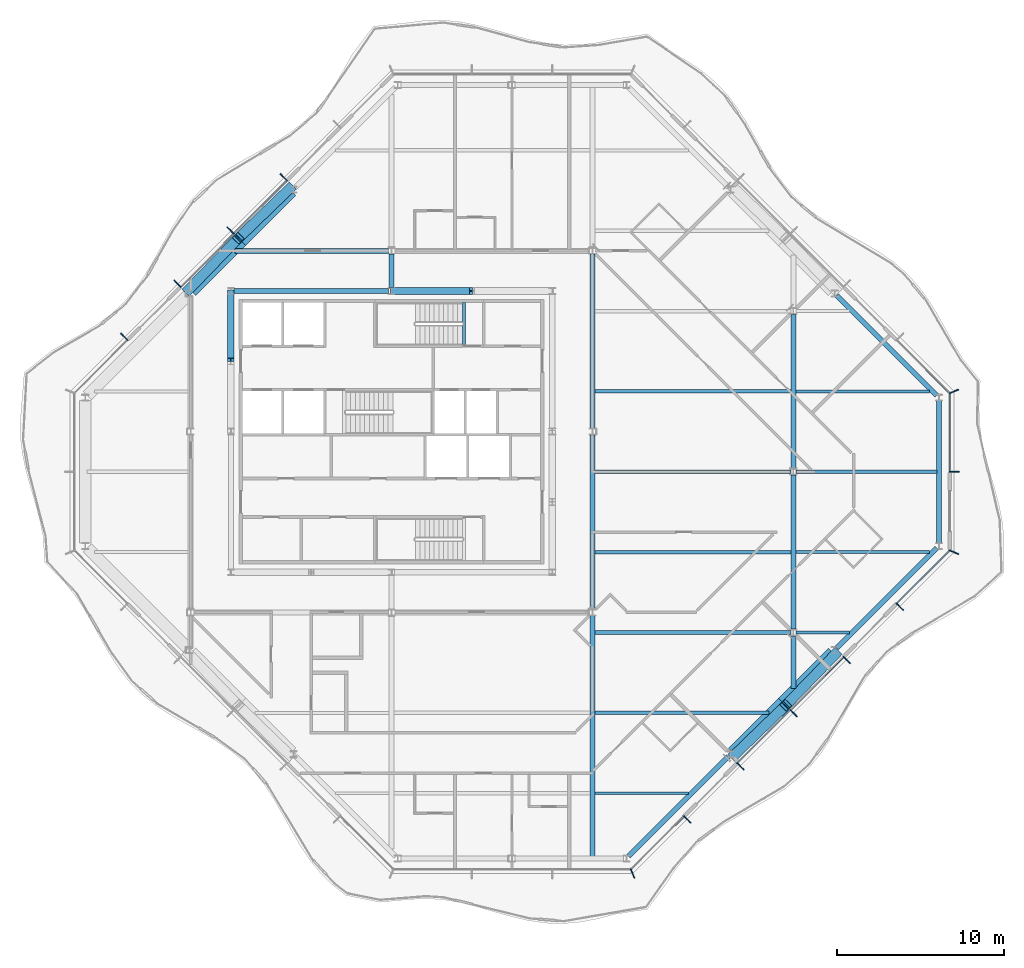
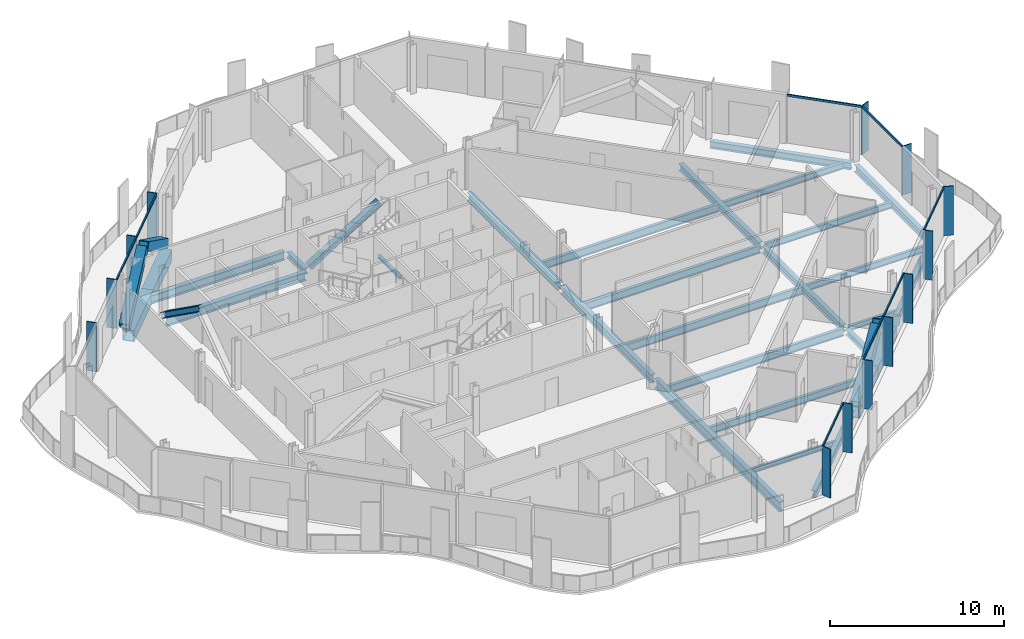
# One storey, part 4 of 17: 28 beams, 27 members, 4 elements without a shape of their own.
"""IFC4 building model written with IfcOpenShell, lengths in metres."""

from ifc_helpers import new_model, si_unit, direction, frame, origin, origin_2d, place, context, subcontext, project, spatial, rectangle, hollow_rectangle, i_section, extrude, material, material_profile, profile_set, type_object, element, aggregate, save


model = new_model("IFC4")

# Units and contexts
model_context = context("Model", 3, precision=1e-05, world=origin(), true_north=direction((0.0, 1.0)))
body_context = subcontext(model_context, "Body", "Model", "MODEL_VIEW")
ifc_project = project(units=[si_unit("LENGTHUNIT", "METRE"), si_unit("AREAUNIT", "SQUARE_METRE"), si_unit("VOLUMEUNIT", "CUBIC_METRE"), si_unit("PLANEANGLEUNIT", "RADIAN"), si_unit("MASSUNIT", "GRAM", prefix="KILO")], contexts=[model_context])

# Site, building, storey
site_placement = place(None, origin())
site = spatial("IfcSite", under=ifc_project, at=site_placement, CompositionType="ELEMENT")
building_placement = place(site_placement, origin())
building = spatial("IfcBuilding", under=site, at=building_placement, Name="Cairn Pilgrim Tower", CompositionType="ELEMENT")
storey_placement = place(building_placement, frame((0.0, 0.0, 270.60009765625)))
storey = spatial("IfcBuildingStorey", under=building, at=storey_placement, Name="L69", CompositionType="ELEMENT", Elevation=270.60009765625)

# Members
ifc_material_1 = material(Name="Structural steel S460M", Category="steel")
ifc_material_profile_1 = material_profile(ifc_material_1, hollow_rectangle(XDim=0.60009765625, YDim=0.60009765625, WallThickness=0.034912109375, at=origin_2d()), Name="BOX 600x600x35")
ifc_profile_set_1 = profile_set([ifc_material_profile_1], Name="Structural steel S460M")
member_type_1 = type_object("IfcMemberType", Name="BOX 600x600x35 BRACE", PredefinedType="BRACE", material=ifc_profile_set_1)
member_1_placement = place(storey_placement, frame((27.609130859375, -16.9921875, 0.14990234375), z_axis=(0.612497315066, 0.592528264357, 0.523218209713), x_axis=(-0.695293517132, 0.718725903967, 0.0)))
element("IfcMember", 1, at=member_1_placement, inside=storey, type_object=member_type_1, Name="XB-SE2-SE3-1", PredefinedType="BRACE", context=body_context, shape_type="SweptSolid", body=[
    extrude(hollow_rectangle(XDim=0.60009765625, YDim=0.60009765625, WallThickness=0.034912109375, at=origin_2d()), origin(), (0.0, 0.0, 1.0), 5.037109375),
])
member_2_placement = place(storey_placement, frame((33.7919921875, -10.80908203125, 0.14990234375), z_axis=(-0.59249681125, -0.612514905413, 0.523233236048), x_axis=(0.718754326239, -0.695264135788, 0.0)))
element("IfcMember", 2, at=member_2_placement, inside=storey, type_object=member_type_1, Name="XB-SE2-SE3-2", PredefinedType="BRACE", context=body_context, shape_type="SweptSolid", body=[
    extrude(hollow_rectangle(XDim=0.60009765625, YDim=0.60009765625, WallThickness=0.034912109375, at=origin_2d()), origin(), (0.0, 0.0, 1.0), 5.036865234375),
])
for number, where, z_axis, x_axis, name in (
    (3, (1.19091796875, 16.9921875, 0.14990234375), (-0.612497315066, -0.592528264357, 0.523218209713), (0.695293517132, -0.718725903967, 0.0), "XB-NW2-NW3-1"),
    (4, (-4.9921875, 10.80908203125, 0.14990234375), (0.592528264357, 0.612497315066, 0.523218209713), (-0.718725903967, 0.695293517132, 0.0), "XB-NW2-NW3-2"),
):
    element("IfcMember", number, at=place(storey_placement, frame(where, z_axis=z_axis, x_axis=x_axis)), inside=storey, type_object=member_type_1, Name=name, PredefinedType="BRACE", context=body_context, shape_type="SweptSolid", body=[
        extrude(hollow_rectangle(XDim=0.60009765625, YDim=0.60009765625, WallThickness=0.034912109375, at=origin_2d()), origin(), (0.0, 0.0, 1.0), 5.037109375),
    ])

# Beams
ifc_material_2 = material(Name="Structural steel S355J2", Category="steel")
ifc_material_profile_2 = material_profile(ifc_material_2, hollow_rectangle(XDim=0.699951171875, YDim=0.800048828125, WallThickness=0.0400390625, at=origin_2d()), Name="BOX 700x800x40")
ifc_profile_set_2 = profile_set([ifc_material_profile_2], Name="Structural steel S355J2")
beam_type_1 = type_object("IfcBeamType", Name="BOX 700x800x40 RING GIRDER", PredefinedType="SPANDREL", material=ifc_profile_set_2)
for number, where, z_axis, x_axis, name in (
    (5, (27.578369140625, -16.748779296875, -0.550048828125), (0.707135695205, 0.707077865986, 0.0), (-0.707077865986, 0.707135695205, 0.0), "RG4-SE2-SE3-1"),
    (6, (30.563720703125, -13.763671875, -0.550048828125), (0.707077865986, 0.707135695205, 0.0), (-0.707135695205, 0.707077865986, 0.0), "RG4-SE2-SE3-2"),
    (7, (1.2216796875, 16.748779296875, -0.550048828125), (-0.707135695205, -0.707077865986, 0.0), (0.707077865986, -0.707135695205, 0.0), "RG4-NW2-NW3-1"),
    (8, (-1.763671875, 13.763671875, -0.550048828125), (-0.707077865986, -0.707135695205, 0.0), (0.707135695205, -0.707077865986, 0.0), "RG4-NW2-NW3-2"),
):
    element("IfcBeam", number, at=place(storey_placement, frame(where, z_axis=z_axis, x_axis=x_axis)), inside=storey, type_object=beam_type_1, Name=name, PredefinedType="SPANDREL", context=body_context, shape_type="SweptSolid", body=[
        extrude(hollow_rectangle(XDim=0.699951171875, YDim=0.800048828125, WallThickness=0.0400390625, at=origin_2d()), origin(), (0.0, 0.0, 1.0), 4.2216796875),
    ])

# Curtain wall, members
ifc_material_3 = material(Name="Aluminium alloy 6063-T6 bronze anodised with Bronze tinted laminated low-E glass 8+16+8.8", Category="aluminium")
curtain_wall_type = type_object("IfcCurtainWallType", Name="CROWN CURTAIN WALL", PredefinedType="NOTDEFINED", material=ifc_material_3)
curtain_wall_1_placement = place(storey_placement, origin())
curtain_wall_1 = element("IfcCurtainWall", 9, at=curtain_wall_1_placement, inside=storey, type_object=curtain_wall_type, Name="Crown Curtain Wall SE", PredefinedType="NOTDEFINED")
ifc_material_4 = material(Name="Aluminium alloy 6063-T6 bronze anodised", Category="aluminium")
ifc_material_profile_3 = material_profile(ifc_material_4, rectangle(XDim=0.60009765625, YDim=0.06005859375, at=origin_2d()), Name="FIN MULLION 60x600 BRONZE")
ifc_profile_set_3 = profile_set([ifc_material_profile_3], Name="Aluminium alloy 6063-T6 bronze anodised")
member_type_2 = type_object("IfcMemberType", Name="FIN MULLION 60x600 BRONZE", PredefinedType="MULLION", material=ifc_profile_set_3)
member_3_placement = place(storey_placement, frame((21.599853515625, -23.99951171875, 0.0), z_axis=(0.0, 0.0, 1.0), x_axis=(0.382683432365, -0.923879532511, 0.0)))
member_3 = element("IfcMember", 10, at=member_3_placement, type_object=member_type_2, Name="Fin mullion SE1", PredefinedType="MULLION", context=body_context, shape_type="SweptSolid", body=[
    extrude(rectangle(XDim=0.60009765625, YDim=0.06005859375, at=origin_2d()), origin(), (0.0, 0.0, 1.0), 3.449951171875),
])
member_4_placement = place(storey_placement, frame((24.863037109375, -20.765380859375, 0.0), z_axis=(0.0, 0.0, 1.0), x_axis=(0.707106781187, -0.707106781187, 0.0)))
member_4 = element("IfcMember", 11, at=member_4_placement, type_object=member_type_2, Name="Fin mullion SE2", PredefinedType="MULLION", context=body_context, shape_type="SweptSolid", body=[
    extrude(rectangle(XDim=0.60009765625, YDim=0.06005859375, at=origin_2d()), origin(), (0.0, 0.0, 1.0), 3.449951171875),
])
member_5_placement = place(storey_placement, frame((28.03857421875, -17.58984375, 0.0), z_axis=(0.0, 0.0, 1.0), x_axis=(0.707106781187, -0.707106781187, 0.0)))
member_5 = element("IfcMember", 12, at=member_5_placement, type_object=member_type_2, Name="Fin mullion SE3", PredefinedType="MULLION", context=body_context, shape_type="SweptSolid", body=[
    extrude(rectangle(XDim=0.60009765625, YDim=0.06005859375, at=origin_2d()), origin(), (0.0, 0.0, 1.0), 3.449951171875),
])
member_6_placement = place(storey_placement, frame((31.214111328125, -14.4140625, 0.0), z_axis=(0.0, 0.0, 1.0), x_axis=(0.707106781187, -0.707106781187, 0.0)))
member_6 = element("IfcMember", 13, at=member_6_placement, type_object=member_type_2, Name="Fin mullion SE4", PredefinedType="MULLION", context=body_context, shape_type="SweptSolid", body=[
    extrude(rectangle(XDim=0.60009765625, YDim=0.06005859375, at=origin_2d()), origin(), (0.0, 0.0, 1.0), 3.449951171875),
])
member_7_placement = place(storey_placement, frame((34.3896484375, -11.238525390625, 0.0), z_axis=(0.0, 0.0, 1.0), x_axis=(0.707106781187, -0.707106781187, 0.0)))
member_7 = element("IfcMember", 14, at=member_7_placement, type_object=member_type_2, Name="Fin mullion SE5", PredefinedType="MULLION", context=body_context, shape_type="SweptSolid", body=[
    extrude(rectangle(XDim=0.60009765625, YDim=0.06005859375, at=origin_2d()), origin(), (0.0, 0.0, 1.0), 3.449951171875),
])
member_8_placement = place(storey_placement, frame((37.5654296875, -8.06298828125, 0.0), z_axis=(0.0, 0.0, 1.0), x_axis=(0.707106781187, -0.707106781187, 0.0)))
member_8 = element("IfcMember", 15, at=member_8_placement, type_object=member_type_2, Name="Fin mullion SE6", PredefinedType="MULLION", context=body_context, shape_type="SweptSolid", body=[
    extrude(rectangle(XDim=0.60009765625, YDim=0.06005859375, at=origin_2d()), origin(), (0.0, 0.0, 1.0), 3.449951171875),
])

curtain_wall_2_placement = place(storey_placement, origin())
curtain_wall_2 = element("IfcCurtainWall", 16, at=curtain_wall_2_placement, inside=storey, type_object=curtain_wall_type, Name="Crown Curtain Wall E", PredefinedType="NOTDEFINED")
member_9_placement = place(storey_placement, frame((40.799560546875, -4.7998046875, 0.0), z_axis=(0.0, 0.0, 1.0), x_axis=(0.923879532511, -0.382683432365, 0.0)))
member_9 = element("IfcMember", 17, at=member_9_placement, type_object=member_type_2, Name="Fin mullion E1", PredefinedType="MULLION", context=body_context, shape_type="SweptSolid", body=[
    extrude(rectangle(XDim=0.60009765625, YDim=0.06005859375, at=origin_2d()), origin(), (0.0, 0.0, 1.0), 3.449951171875),
])
member_10_placement = place(storey_placement, frame((40.820068359375, 0.0, 0.0), z_axis=(0.0, 0.0, 1.0), x_axis=(1.0, 0.0, 0.0)))
member_10 = element("IfcMember", 18, at=member_10_placement, type_object=member_type_2, Name="Fin mullion E2", PredefinedType="MULLION", context=body_context, shape_type="SweptSolid", body=[
    extrude(rectangle(XDim=0.60009765625, YDim=0.06005859375, at=origin_2d()), origin(), (0.0, 0.0, 1.0), 3.449951171875),
])

# Curtain wall, member
curtain_wall_3_placement = place(storey_placement, origin())
curtain_wall_3 = element("IfcCurtainWall", 19, at=curtain_wall_3_placement, inside=storey, type_object=curtain_wall_type, Name="Crown Curtain Wall NE", PredefinedType="NOTDEFINED")
member_11_placement = place(storey_placement, frame((40.799560546875, 4.7998046875, 0.0), z_axis=(0.0, 0.0, 1.0), x_axis=(0.923879532511, 0.382683432365, 0.0)))
member_11 = element("IfcMember", 20, at=member_11_placement, type_object=member_type_2, Name="Fin mullion NE1", PredefinedType="MULLION", context=body_context, shape_type="SweptSolid", body=[
    extrude(rectangle(XDim=0.60009765625, YDim=0.06005859375, at=origin_2d()), origin(), (0.0, 0.0, 1.0), 3.449951171875),
])

# Curtain wall, members
curtain_wall_4_placement = place(storey_placement, origin())
curtain_wall_4 = element("IfcCurtainWall", 21, at=curtain_wall_4_placement, inside=storey, type_object=curtain_wall_type, Name="Crown Curtain Wall NW", PredefinedType="NOTDEFINED")
member_12_placement = place(storey_placement, frame((0.761474609375, 17.58984375, 0.0), z_axis=(0.0, 0.0, 1.0), x_axis=(-0.707106781187, 0.707106781187, 0.0)))
member_12 = element("IfcMember", 22, at=member_12_placement, type_object=member_type_2, Name="Fin mullion NW3", PredefinedType="MULLION", context=body_context, shape_type="SweptSolid", body=[
    extrude(rectangle(XDim=0.60009765625, YDim=0.06005859375, at=origin_2d()), origin(), (0.0, 0.0, 1.0), 3.449951171875),
])
member_13_placement = place(storey_placement, frame((-2.4140625, 14.4140625, 0.0), z_axis=(0.0, 0.0, 1.0), x_axis=(-0.707106781187, 0.707106781187, 0.0)))
member_13 = element("IfcMember", 23, at=member_13_placement, type_object=member_type_2, Name="Fin mullion NW4", PredefinedType="MULLION", context=body_context, shape_type="SweptSolid", body=[
    extrude(rectangle(XDim=0.60009765625, YDim=0.06005859375, at=origin_2d()), origin(), (0.0, 0.0, 1.0), 3.449951171875),
])
member_14_placement = place(storey_placement, frame((-5.58984375, 11.238525390625, 0.0), z_axis=(0.0, 0.0, 1.0), x_axis=(-0.707106781187, 0.707106781187, 0.0)))
member_14 = element("IfcMember", 24, at=member_14_placement, type_object=member_type_2, Name="Fin mullion NW5", PredefinedType="MULLION", context=body_context, shape_type="SweptSolid", body=[
    extrude(rectangle(XDim=0.60009765625, YDim=0.06005859375, at=origin_2d()), origin(), (0.0, 0.0, 1.0), 3.449951171875),
])
member_15_placement = place(storey_placement, frame((-8.765380859375, 8.06298828125, 0.0), z_axis=(0.0, 0.0, 1.0), x_axis=(-0.707106781187, 0.707106781187, 0.0)))
member_15 = element("IfcMember", 25, at=member_15_placement, type_object=member_type_2, Name="Fin mullion NW6", PredefinedType="MULLION", context=body_context, shape_type="SweptSolid", body=[
    extrude(rectangle(XDim=0.60009765625, YDim=0.06005859375, at=origin_2d()), origin(), (0.0, 0.0, 1.0), 3.449951171875),
])

# Members
ifc_material_profile_4 = material_profile(ifc_material_2, i_section(OverallWidth=0.39794921875, OverallDepth=0.386962890625, WebThickness=0.02099609375, FlangeThickness=0.033203125, FilletRadius=0.014892578125, at=origin_2d()), Name="HD 400x262")
ifc_profile_set_4 = profile_set([ifc_material_profile_4], Name="Structural steel S355J2")
member_type_3 = type_object("IfcMemberType", Name="HD 400x262 BRACE", PredefinedType="BRACE", material=ifc_profile_set_4)
member_16_placement = place(storey_placement, frame((7.23974609375, 10.800048828125, 0.099853515625), z_axis=(0.851209328867, 0.0, 0.524826331703), x_axis=(0.0, 1.0, 0.0)))
element("IfcMember", 26, at=member_16_placement, inside=storey, type_object=member_type_3, Name="KB-3B", PredefinedType="BRACE", context=body_context, shape_type="SweptSolid", body=[
    extrude(i_section(OverallWidth=0.39794921875, OverallDepth=0.386962890625, WebThickness=0.02099609375, FlangeThickness=0.033203125, FilletRadius=0.014892578125, at=origin_2d()), origin(), (0.0, 0.0, 1.0), 5.530029296875),
])
member_17_placement = place(storey_placement, frame((-2.39990234375, 10.76025390625, 0.099853515625), z_axis=(0.0, -0.814462005215, 0.580216892258), x_axis=(1.0, 0.0, 0.0)))
element("IfcMember", 27, at=member_17_placement, inside=storey, type_object=member_type_3, Name="KB-4A", PredefinedType="BRACE", context=body_context, shape_type="SweptSolid", body=[
    extrude(i_section(OverallWidth=0.39794921875, OverallDepth=0.386962890625, WebThickness=0.02099609375, FlangeThickness=0.033203125, FilletRadius=0.014892578125, at=origin_2d()), origin(), (0.0, 0.0, 1.0), 4.999755859375),
])

# Beams
ifc_material_profile_5 = material_profile(ifc_material_2, i_section(OverallWidth=0.300048828125, OverallDepth=0.39990234375, WebThickness=0.013427734375, FlangeThickness=0.02392578125, FilletRadius=0.027099609375, at=origin_2d()), Name="HEB 400")
ifc_profile_set_5 = profile_set([ifc_material_profile_5], Name="Structural steel S355J2")
beam_type_2 = type_object("IfcBeamType", Name="HEB 400 GIRDER", PredefinedType="BEAM", material=ifc_profile_set_5)
beam_1_placement = place(storey_placement, frame((7.199951171875, 10.9990234375, -0.35009765625), z_axis=(0.0, 1.0, 0.0), x_axis=(-1.0, 0.0, 0.0)))
element("IfcBeam", 28, at=beam_1_placement, inside=storey, type_object=beam_type_2, Name="PG3-E2", PredefinedType="BEAM", context=body_context, shape_type="SweptSolid", body=[
    extrude(i_section(OverallWidth=0.300048828125, OverallDepth=0.39990234375, WebThickness=0.013427734375, FlangeThickness=0.02392578125, FilletRadius=0.027099609375, at=origin_2d()), origin(), (0.0, 0.0, 1.0), 2.00390625),
])
beam_2_placement = place(storey_placement, frame((31.199951171875, -12.945068359375, -0.35009765625), z_axis=(0.0, 1.0, 0.0), x_axis=(-1.0, 0.0, 0.0)))
element("IfcBeam", 29, at=beam_2_placement, inside=storey, type_object=beam_type_2, Name="PG5-1", PredefinedType="BEAM", context=body_context, shape_type="SweptSolid", body=[
    extrude(i_section(OverallWidth=0.300048828125, OverallDepth=0.39990234375, WebThickness=0.013427734375, FlangeThickness=0.02392578125, FilletRadius=0.027099609375, at=origin_2d()), origin(), (0.0, 0.0, 1.0), 3.14794921875),
])
ifc_material_profile_6 = material_profile(ifc_material_2, i_section(OverallWidth=0.300048828125, OverallDepth=0.5, WebThickness=0.014404296875, FlangeThickness=0.028076171875, FilletRadius=0.027099609375, at=origin_2d()), Name="HEB 500")
ifc_profile_set_6 = profile_set([ifc_material_profile_6], Name="Structural steel S355J2")
beam_type_3 = type_object("IfcBeamType", Name="HEB 500 GIRDER", PredefinedType="BEAM", material=ifc_profile_set_6)
for number, where, z_axis, x_axis, name in (
    (30, (31.199951171875, -9.403076171875, -0.400146484375), (0.0, 1.0, 0.0), (-1.0, 0.0, 0.0), "PG5-2"),
    (31, (31.199951171875, 0.197021484375, -0.400146484375), (0.0, 1.0, 0.0), (-1.0, 0.0, 0.0), "PG5-3"),
):
    element("IfcBeam", number, at=place(storey_placement, frame(where, z_axis=z_axis, x_axis=x_axis)), inside=storey, type_object=beam_type_3, Name=name, PredefinedType="BEAM", context=body_context, shape_type="SweptSolid", body=[
        extrude(i_section(OverallWidth=0.300048828125, OverallDepth=0.5, WebThickness=0.014404296875, FlangeThickness=0.028076171875, FilletRadius=0.027099609375, at=origin_2d()), origin(), (0.0, 0.0, 1.0), 9.2060546875),
    ])
ifc_material_profile_7 = material_profile(ifc_material_2, i_section(OverallWidth=0.300048828125, OverallDepth=0.5, WebThickness=0.014404296875, FlangeThickness=0.028076171875, FilletRadius=0.027099609375, at=origin_2d()), Name="HEB 500")
ifc_profile_set_7 = profile_set([ifc_material_profile_7], Name="Structural steel S355J2")
beam_type_4 = type_object("IfcBeamType", Name="HEB 500 RING GIRDER", PredefinedType="SPANDREL", material=ifc_profile_set_7)
for number, where, z_axis, x_axis, name in (
    (32, (21.354248046875, -22.972900390625, -0.400146484375), (0.707106781187, 0.707106781187, 0.0), (-0.707106781187, 0.707106781187, 0.0), "RG4-SE1-SE2"),
    (33, (33.802734375, -10.5244140625, -0.400146484375), (0.707106781187, 0.707106781187, 0.0), (-0.707106781187, 0.707106781187, 0.0), "RG4-SE3-E1"),
):
    element("IfcBeam", number, at=place(storey_placement, frame(where, z_axis=z_axis, x_axis=x_axis)), inside=storey, type_object=beam_type_4, Name=name, PredefinedType="SPANDREL", context=body_context, shape_type="SweptSolid", body=[
        extrude(i_section(OverallWidth=0.300048828125, OverallDepth=0.5, WebThickness=0.014404296875, FlangeThickness=0.028076171875, FilletRadius=0.027099609375, at=origin_2d()), origin(), (0.0, 0.0, 1.0), 8.443115234375),
    ])
beam_3_placement = place(storey_placement, frame((39.89990234375, -4.247802734375, -0.400146484375), z_axis=(0.0, 1.0, 0.0), x_axis=(-1.0, 0.0, 0.0)))
element("IfcBeam", 34, at=beam_3_placement, inside=storey, type_object=beam_type_4, Name="RG4-E1-NE1", PredefinedType="SPANDREL", context=body_context, shape_type="SweptSolid", body=[
    extrude(i_section(OverallWidth=0.300048828125, OverallDepth=0.5, WebThickness=0.014404296875, FlangeThickness=0.028076171875, FilletRadius=0.027099609375, at=origin_2d()), origin(), (0.0, 0.0, 1.0), 8.49560546875),
])
beam_4_placement = place(storey_placement, frame((39.77294921875, 4.55419921875, -0.400146484375), z_axis=(-0.707106781187, 0.707106781187, 0.0), x_axis=(-0.707106781187, -0.707106781187, 0.0)))
element("IfcBeam", 35, at=beam_4_placement, inside=storey, type_object=beam_type_4, Name="RG4-NE1-NE2", PredefinedType="SPANDREL", context=body_context, shape_type="SweptSolid", body=[
    extrude(i_section(OverallWidth=0.300048828125, OverallDepth=0.5, WebThickness=0.014404296875, FlangeThickness=0.028076171875, FilletRadius=0.027099609375, at=origin_2d()), origin(), (0.0, 0.0, 1.0), 8.443115234375),
])
ifc_material_profile_8 = material_profile(ifc_material_2, i_section(OverallWidth=0.300048828125, OverallDepth=0.60009765625, WebThickness=0.015380859375, FlangeThickness=0.030029296875, FilletRadius=0.027099609375, at=origin_2d()), Name="HEB 600")
ifc_profile_set_8 = profile_set([ifc_material_profile_8], Name="Structural steel S355J2")
beam_type_5 = type_object("IfcBeamType", Name="HEB 600 CORE BEAM", PredefinedType="BEAM", material=ifc_profile_set_8)
beam_5_placement = place(storey_placement, frame((7.02099609375, 10.800048828125, -0.4501953125), z_axis=(-1.0, 0.0, 0.0), x_axis=(0.0, -1.0, 0.0)))
element("IfcBeam", 36, at=beam_5_placement, inside=storey, type_object=beam_type_5, Name="CB-6", PredefinedType="BEAM", context=body_context, shape_type="SweptSolid", body=[
    extrude(i_section(OverallWidth=0.300048828125, OverallDepth=0.60009765625, WebThickness=0.015380859375, FlangeThickness=0.030029296875, FilletRadius=0.027099609375, at=origin_2d()), origin(), (0.0, 0.0, 1.0), 9.241943359375),
])
ifc_material_profile_9 = material_profile(ifc_material_2, i_section(OverallWidth=0.300048828125, OverallDepth=0.60009765625, WebThickness=0.015380859375, FlangeThickness=0.030029296875, FilletRadius=0.027099609375, at=origin_2d()), Name="HEB 600")
ifc_profile_set_9 = profile_set([ifc_material_profile_9], Name="Structural steel S355J2")
beam_type_6 = type_object("IfcBeamType", Name="HEB 600 GIRDER", PredefinedType="BEAM", material=ifc_profile_set_9)
beam_6_placement = place(storey_placement, frame((19.199951171875, -8.202880859375, -0.4501953125), z_axis=(0.0, 1.0, 0.0), x_axis=(-1.0, 0.0, 0.0)))
element("IfcBeam", 37, at=beam_6_placement, inside=storey, type_object=beam_type_6, Name="PG4-2", PredefinedType="BEAM", context=body_context, shape_type="SweptSolid", body=[
    extrude(i_section(OverallWidth=0.300048828125, OverallDepth=0.60009765625, WebThickness=0.015380859375, FlangeThickness=0.030029296875, FilletRadius=0.027099609375, at=origin_2d()), origin(), (0.0, 0.0, 1.0), 10.40576171875),
])
beam_7_placement = place(storey_placement, frame((19.199951171875, 2.596923828125, -0.4501953125), z_axis=(0.0, 1.0, 0.0), x_axis=(-1.0, 0.0, 0.0)))
element("IfcBeam", 38, at=beam_7_placement, inside=storey, type_object=beam_type_6, Name="PG4-3", PredefinedType="BEAM", context=body_context, shape_type="SweptSolid", body=[
    extrude(i_section(OverallWidth=0.300048828125, OverallDepth=0.60009765625, WebThickness=0.015380859375, FlangeThickness=0.030029296875, FilletRadius=0.027099609375, at=origin_2d()), origin(), (0.0, 0.0, 1.0), 10.406005859375),
])
ifc_material_profile_10 = material_profile(ifc_material_2, i_section(OverallWidth=0.300048828125, OverallDepth=0.60009765625, WebThickness=0.015380859375, FlangeThickness=0.030029296875, FilletRadius=0.027099609375, at=origin_2d()), Name="HEB 600")
ifc_profile_set_10 = profile_set([ifc_material_profile_10], Name="Structural steel S355J2")
beam_type_7 = type_object("IfcBeamType", Name="HEB 600 INNER GIRDER", PredefinedType="BEAM", material=ifc_profile_set_10)
beam_8_placement = place(storey_placement, frame((-2.14501953125, 13.199951171875, -0.4501953125), z_axis=(1.0, 0.0, 0.0), x_axis=(0.0, 1.0, 0.0)))
element("IfcBeam", 39, at=beam_8_placement, inside=storey, type_object=beam_type_7, Name="IG2-1", PredefinedType="BEAM", context=body_context, shape_type="SweptSolid", body=[
    extrude(i_section(OverallWidth=0.300048828125, OverallDepth=0.60009765625, WebThickness=0.015380859375, FlangeThickness=0.030029296875, FilletRadius=0.027099609375, at=origin_2d()), origin(), (0.0, 0.0, 1.0), 9.14794921875),
])
ifc_material_profile_11 = material_profile(ifc_material_2, i_section(OverallWidth=0.300048828125, OverallDepth=0.699951171875, WebThickness=0.01708984375, FlangeThickness=0.031982421875, FilletRadius=0.027099609375, at=origin_2d()), Name="HEB 700")
ifc_profile_set_11 = profile_set([ifc_material_profile_11], Name="Structural steel S355J2")
beam_type_8 = type_object("IfcBeamType", Name="HEB 700 GIRDER", PredefinedType="BEAM", material=ifc_profile_set_11)
beam_9_placement = place(storey_placement, frame((19.199951171875, -22.97998046875, -0.5), z_axis=(0.0, 1.0, 0.0), x_axis=(-1.0, 0.0, 0.0)))
element("IfcBeam", 40, at=beam_9_placement, inside=storey, type_object=beam_type_8, Name="PG4-1", PredefinedType="BEAM", context=body_context, shape_type="SweptSolid", body=[
    extrude(i_section(OverallWidth=0.300048828125, OverallDepth=0.699951171875, WebThickness=0.01708984375, FlangeThickness=0.031982421875, FilletRadius=0.027099609375, at=origin_2d()), origin(), (0.0, 0.0, 1.0), 14.383056640625),
])
ifc_material_profile_12 = material_profile(ifc_material_2, i_section(OverallWidth=0.169921875, OverallDepth=0.360107421875, WebThickness=0.008056640625, FlangeThickness=0.0126953125, FilletRadius=0.01806640625, at=origin_2d()), Name="IPE 360")
ifc_profile_set_12 = profile_set([ifc_material_profile_12], Name="Structural steel S355J2")
beam_type_9 = type_object("IfcBeamType", Name="IPE 360 SECONDARY BEAM", PredefinedType="JOIST", material=ifc_profile_set_12)
beam_10_placement = place(storey_placement, frame((19.35009765625, -19.199951171875, -0.330078125), z_axis=(1.0, 0.0, 0.0), x_axis=(0.0, 1.0, 0.0)))
element("IfcBeam", 41, at=beam_10_placement, inside=storey, type_object=beam_type_9, Name="SB1-3", PredefinedType="JOIST", context=body_context, shape_type="SweptSolid", body=[
    extrude(i_section(OverallWidth=0.169921875, OverallDepth=0.360107421875, WebThickness=0.008056640625, FlangeThickness=0.0126953125, FilletRadius=0.01806640625, at=origin_2d()), origin(), (0.0, 0.0, 1.0), 5.594970703125),
])
beam_11_placement = place(storey_placement, frame((31.35009765625, -9.60009765625, -0.330078125), z_axis=(1.0, 0.0, 0.0), x_axis=(0.0, 1.0, 0.0)))
element("IfcBeam", 42, at=beam_11_placement, inside=storey, type_object=beam_type_9, Name="SB3-2", PredefinedType="JOIST", context=body_context, shape_type="SweptSolid", body=[
    extrude(i_section(OverallWidth=0.169921875, OverallDepth=0.360107421875, WebThickness=0.008056640625, FlangeThickness=0.0126953125, FilletRadius=0.01806640625, at=origin_2d()), origin(), (0.0, 0.0, 1.0), 3.195068359375),
])
ifc_material_profile_13 = material_profile(ifc_material_2, i_section(OverallWidth=0.18994140625, OverallDepth=0.449951171875, WebThickness=0.009521484375, FlangeThickness=0.0146484375, FilletRadius=0.02099609375, at=origin_2d()), Name="IPE 450")
ifc_profile_set_13 = profile_set([ifc_material_profile_13], Name="Structural steel S355J2")
beam_type_10 = type_object("IfcBeamType", Name="IPE 450 SECONDARY BEAM", PredefinedType="JOIST", material=ifc_profile_set_13)
beam_12_placement = place(storey_placement, frame((31.35009765625, -4.800048828125, -0.375), z_axis=(1.0, 0.0, 0.0), x_axis=(0.0, 1.0, 0.0)))
element("IfcBeam", 43, at=beam_12_placement, inside=storey, type_object=beam_type_10, Name="SB4-3", PredefinedType="JOIST", context=body_context, shape_type="SweptSolid", body=[
    extrude(i_section(OverallWidth=0.18994140625, OverallDepth=0.449951171875, WebThickness=0.009521484375, FlangeThickness=0.0146484375, FilletRadius=0.02099609375, at=origin_2d()), origin(), (0.0, 0.0, 1.0), 7.9951171875),
])
beam_13_placement = place(storey_placement, frame((31.35009765625, 0.0, -0.375), z_axis=(1.0, 0.0, 0.0), x_axis=(0.0, 1.0, 0.0)))
element("IfcBeam", 44, at=beam_13_placement, inside=storey, type_object=beam_type_10, Name="SB5-3", PredefinedType="JOIST", context=body_context, shape_type="SweptSolid", body=[
    extrude(i_section(OverallWidth=0.18994140625, OverallDepth=0.449951171875, WebThickness=0.009521484375, FlangeThickness=0.0146484375, FilletRadius=0.02099609375, at=origin_2d()), origin(), (0.0, 0.0, 1.0), 8.429931640625),
])
beam_14_placement = place(storey_placement, frame((31.35009765625, 4.800048828125, -0.375), z_axis=(1.0, 0.0, 0.0), x_axis=(0.0, 1.0, 0.0)))
element("IfcBeam", 45, at=beam_14_placement, inside=storey, type_object=beam_type_10, Name="SB6-3", PredefinedType="JOIST", context=body_context, shape_type="SweptSolid", body=[
    extrude(i_section(OverallWidth=0.18994140625, OverallDepth=0.449951171875, WebThickness=0.009521484375, FlangeThickness=0.0146484375, FilletRadius=0.02099609375, at=origin_2d()), origin(), (0.0, 0.0, 1.0), 7.9951171875),
])
ifc_material_profile_14 = material_profile(ifc_material_2, i_section(OverallWidth=0.199951171875, OverallDepth=0.5, WebThickness=0.01025390625, FlangeThickness=0.01611328125, FilletRadius=0.02099609375, at=origin_2d()), Name="IPE 500")
ifc_profile_set_14 = profile_set([ifc_material_profile_14], Name="Structural steel S355J2")
beam_type_11 = type_object("IfcBeamType", Name="IPE 500 SECONDARY BEAM", PredefinedType="JOIST", material=ifc_profile_set_14)
beam_15_placement = place(storey_placement, frame((19.35009765625, -14.39990234375, -0.400146484375), z_axis=(1.0, 0.0, 0.0), x_axis=(0.0, 1.0, 0.0)))
element("IfcBeam", 46, at=beam_15_placement, inside=storey, type_object=beam_type_11, Name="SB2-3", PredefinedType="JOIST", context=body_context, shape_type="SweptSolid", body=[
    extrude(i_section(OverallWidth=0.199951171875, OverallDepth=0.5, WebThickness=0.01025390625, FlangeThickness=0.01611328125, FilletRadius=0.02099609375, at=origin_2d()), origin(), (0.0, 0.0, 1.0), 10.39501953125),
])
ifc_material_profile_15 = material_profile(ifc_material_2, i_section(OverallWidth=0.2099609375, OverallDepth=0.550048828125, WebThickness=0.010986328125, FlangeThickness=0.01708984375, FilletRadius=0.02392578125, at=origin_2d()), Name="IPE 550")
ifc_profile_set_15 = profile_set([ifc_material_profile_15], Name="Structural steel S355J2")
beam_type_12 = type_object("IfcBeamType", Name="IPE 550 SECONDARY BEAM", PredefinedType="JOIST", material=ifc_profile_set_15)
for number, where, z_axis, x_axis, name in (
    (47, (19.35009765625, -9.60009765625, -0.425048828125), (1.0, 0.0, 0.0), (0.0, 1.0, 0.0), "SB3-1"),
    (48, (19.35009765625, -4.800048828125, -0.425048828125), (1.0, 0.0, 0.0), (0.0, 1.0, 0.0), "SB4-2"),
    (49, (19.35009765625, 0.0, -0.425048828125), (1.0, 0.0, 0.0), (0.0, 1.0, 0.0), "SB5-2"),
    (50, (19.35009765625, 4.800048828125, -0.425048828125), (1.0, 0.0, 0.0), (0.0, 1.0, 0.0), "SB6-2"),
):
    element("IfcBeam", number, at=place(storey_placement, frame(where, z_axis=z_axis, x_axis=x_axis)), inside=storey, type_object=beam_type_12, Name=name, PredefinedType="JOIST", context=body_context, shape_type="SweptSolid", body=[
        extrude(i_section(OverallWidth=0.2099609375, OverallDepth=0.550048828125, WebThickness=0.010986328125, FlangeThickness=0.01708984375, FilletRadius=0.02392578125, at=origin_2d()), origin(), (0.0, 0.0, 1.0), 11.699951171875),
    ])
ifc_material_profile_16 = material_profile(ifc_material_2, i_section(OverallWidth=0.199951171875, OverallDepth=0.199951171875, WebThickness=0.009033203125, FlangeThickness=0.014892578125, FilletRadius=0.01806640625, at=origin_2d()), Name="HE 200 B")
ifc_profile_set_16 = profile_set([ifc_material_profile_16], Name="Structural steel S355J2")
beam_type_13 = type_object("IfcBeamType", Name="STAIR LANDING BEAM HE 200 B", PredefinedType="BEAM", material=ifc_profile_set_16)
beam_16_placement = place(storey_placement, frame((11.5244140625, 10.10009765625, -0.25), z_axis=(0.0, -1.0, 0.0), x_axis=(1.0, 0.0, 0.0)))
element("IfcBeam", 51, at=beam_16_placement, inside=storey, type_object=beam_type_13, Name="STAIR LANDING BEAM LD-HE200B", PredefinedType="BEAM", context=body_context, shape_type="SweptSolid", body=[
    extrude(i_section(OverallWidth=0.199951171875, OverallDepth=0.199951171875, WebThickness=0.009033203125, FlangeThickness=0.014892578125, FilletRadius=0.01806640625, at=origin_2d()), origin(), (0.0, 0.0, 1.0), 2.525146484375),
])

# Member
ifc_material_profile_17 = material_profile(ifc_material_4, rectangle(XDim=0.080078125, YDim=0.14990234375, at=origin_2d()), Name="TRANSOM 80x150 BRONZE")
ifc_profile_set_17 = profile_set([ifc_material_profile_17], Name="Aluminium alloy 6063-T6 bronze anodised")
member_type_4 = type_object("IfcMemberType", Name="TRANSOM 80x150 BRONZE", PredefinedType="USERDEFINED", material=ifc_profile_set_17)
member_18_placement = place(storey_placement, frame((21.524658203125, -23.7216796875, 3.375), z_axis=(0.707134392299, 0.707079168996, 0.0), x_axis=(-0.707079168996, 0.707134392299, 0.0)))
member_18 = element("IfcMember", 52, at=member_18_placement, type_object=member_type_4, Name="Transom SE1", ObjectType="TRANSOM", PredefinedType="USERDEFINED", context=body_context, shape_type="SweptSolid", body=[
    extrude(rectangle(XDim=0.080078125, YDim=0.14990234375, at=origin_2d()), origin(), (0.0, 0.0, 1.0), 4.4208984375),
])

member_19_placement = place(storey_placement, frame((27.868896484375, -17.377685546875, 3.375), z_axis=(0.707079231393, 0.707134329907, 0.0), x_axis=(-0.707134329907, 0.707079231393, 0.0)))
member_19 = element("IfcMember", 53, at=member_19_placement, type_object=member_type_4, Name="Transom SE3", ObjectType="TRANSOM", PredefinedType="USERDEFINED", context=body_context, shape_type="SweptSolid", body=[
    extrude(rectangle(XDim=0.080078125, YDim=0.14990234375, at=origin_2d()), origin(), (0.0, 0.0, 1.0), 4.430908203125),
])

member_20_placement = place(storey_placement, frame((31.04443359375, -14.201904296875, 3.375), z_axis=(0.707106781187, 0.707106781187, 0.0), x_axis=(-0.707106781187, 0.707106781187, 0.0)))
member_20 = element("IfcMember", 54, at=member_20_placement, type_object=member_type_4, Name="Transom SE4", ObjectType="TRANSOM", PredefinedType="USERDEFINED", context=body_context, shape_type="SweptSolid", body=[
    extrude(rectangle(XDim=0.080078125, YDim=0.14990234375, at=origin_2d()), origin(), (0.0, 0.0, 1.0), 4.430908203125),
])

member_21_placement = place(storey_placement, frame((37.3955078125, -7.850830078125, 3.375), z_axis=(0.707106781187, 0.707106781187, 0.0), x_axis=(-0.707106781187, 0.707106781187, 0.0)))
member_21 = element("IfcMember", 55, at=member_21_placement, type_object=member_type_4, Name="Transom SE6", ObjectType="TRANSOM", PredefinedType="USERDEFINED", context=body_context, shape_type="SweptSolid", body=[
    extrude(rectangle(XDim=0.080078125, YDim=0.14990234375, at=origin_2d()), origin(), (0.0, 0.0, 1.0), 4.421142578125),
])

aggregate(curtain_wall_1, [member_3, member_4, member_5, member_6, member_7, member_8, member_18, member_19, member_20, member_21])

member_22_placement = place(storey_placement, frame((40.550048828125, 0.030029296875, 3.375), z_axis=(0.0, 1.0, 0.0), x_axis=(-1.0, 0.0, 0.0)))
member_22 = element("IfcMember", 56, at=member_22_placement, type_object=member_type_4, Name="Transom E2", ObjectType="TRANSOM", PredefinedType="USERDEFINED", context=body_context, shape_type="SweptSolid", body=[
    extrude(rectangle(XDim=0.080078125, YDim=0.14990234375, at=origin_2d()), origin(), (0.0, 0.0, 1.0), 4.62646484375),
])

aggregate(curtain_wall_2, [member_9, member_10, member_22])

member_23_placement = place(storey_placement, frame((40.521728515625, 4.724609375, 3.375), z_axis=(-0.707106781187, 0.707106781187, 0.0), x_axis=(-0.707106781187, -0.707106781187, 0.0)))
member_23 = element("IfcMember", 57, at=member_23_placement, type_object=member_type_4, Name="Transom NE1", ObjectType="TRANSOM", PredefinedType="USERDEFINED", context=body_context, shape_type="SweptSolid", body=[
    extrude(rectangle(XDim=0.080078125, YDim=0.14990234375, at=origin_2d()), origin(), (0.0, 0.0, 1.0), 4.421142578125),
])

aggregate(curtain_wall_3, [member_11, member_23])

member_24_placement = place(storey_placement, frame((0.93115234375, 17.377685546875, 3.375), z_axis=(-0.707079231393, -0.707134329907, 0.0), x_axis=(0.707134329907, -0.707079231393, 0.0)))
member_24 = element("IfcMember", 58, at=member_24_placement, type_object=member_type_4, Name="Transom NW3", ObjectType="TRANSOM", PredefinedType="USERDEFINED", context=body_context, shape_type="SweptSolid", body=[
    extrude(rectangle(XDim=0.080078125, YDim=0.14990234375, at=origin_2d()), origin(), (0.0, 0.0, 1.0), 4.430908203125),
])

member_25_placement = place(storey_placement, frame((-2.244384765625, 14.201904296875, 3.375), z_axis=(-0.707134329907, -0.707079231393, 0.0), x_axis=(0.707079231393, -0.707134329907, 0.0)))
member_25 = element("IfcMember", 59, at=member_25_placement, type_object=member_type_4, Name="Transom NW4", ObjectType="TRANSOM", PredefinedType="USERDEFINED", context=body_context, shape_type="SweptSolid", body=[
    extrude(rectangle(XDim=0.080078125, YDim=0.14990234375, at=origin_2d()), origin(), (0.0, 0.0, 1.0), 4.430908203125),
])

aggregate(curtain_wall_4, [member_12, member_13, member_14, member_15, member_24, member_25])

save(model, "model.ifc")
